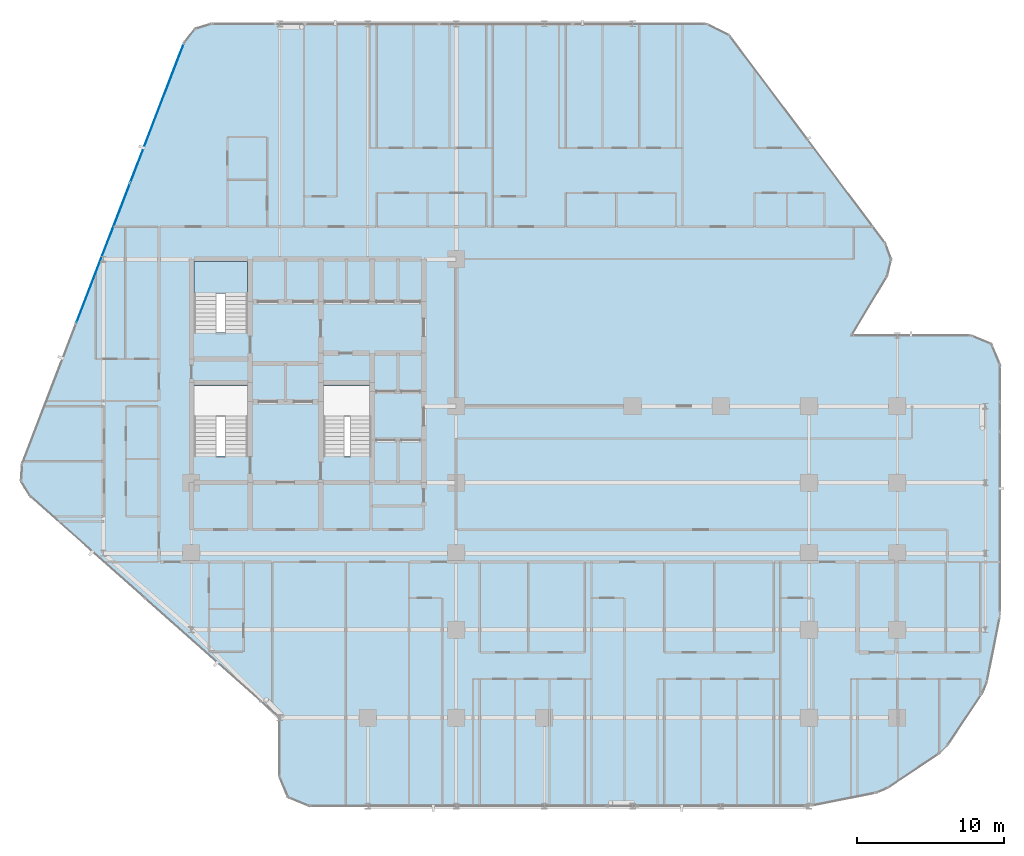
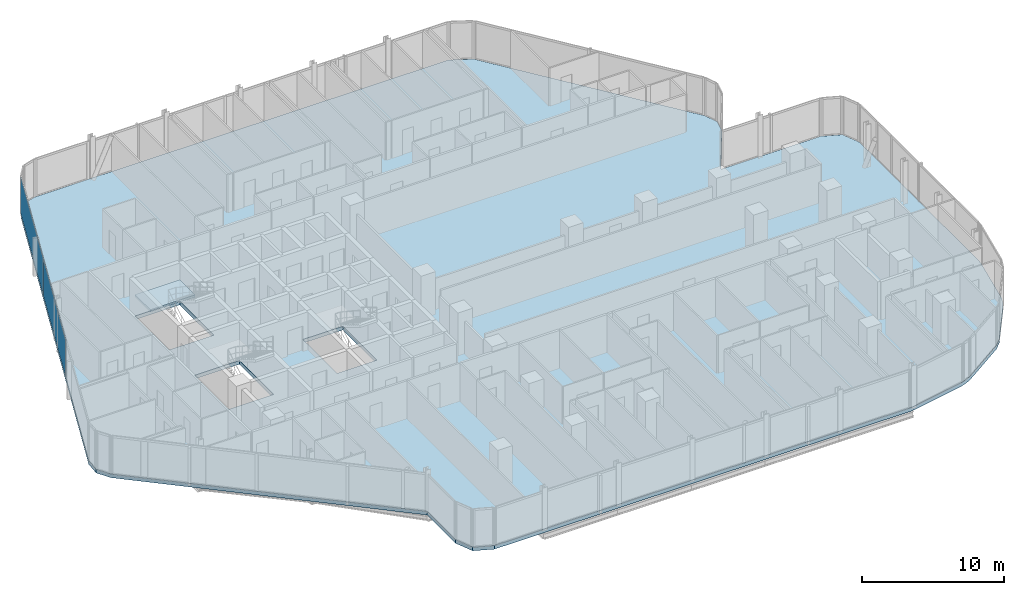
# One storey, part 23 of 34: 2 plates, 2 slabs, 2 elements without a shape of their own.
"""IFC4 building model written with IfcOpenShell, lengths in metres."""

import ifcopenshell
import ifcopenshell.guid

model = None  # the IFC model being written
_history = None  # IfcOwnerHistory: only IFC2X3 demands one
_inside = {}  # id of a spatial element -> (the spatial element, [elements in it])
_under = {}  # id of a project, library or spatial element -> (it, [spatial elements below it])
_declared = {}  # id of a project -> (the project, [libraries it declares])
_typed = {}  # id of a type object -> (the type object, [elements of that type])
_made_of = {}  # id of a material, layer set ... -> (it, [elements and type objects made of it])


def new_model(schema):
    """Start an empty IFC model of exactly this schema.

    Asked for "IFC4X3", IfcOpenShell would pick the latest addendum, in which some entities
    have other attributes; the version numbers below select the first issue.
    IFC2X3 requires an IfcOwnerHistory on every rooted entity: one is made here for all.
    """
    global model, _history
    if schema == "IFC4X3":
        model = ifcopenshell.file(schema_version=(4, 3, 0, 0))
    else:
        model = ifcopenshell.file(schema=schema)
    _inside.clear()
    _under.clear()
    _declared.clear()
    _typed.clear()
    _made_of.clear()
    _history = None
    if model.schema == "IFC2X3":
        org = make("IfcOrganization", Name="unknown")
        user = make(
            "IfcPersonAndOrganization",
            ThePerson=make("IfcPerson", FamilyName="unknown"),
            TheOrganization=org,
        )
        app = make(
            "IfcApplication",
            ApplicationDeveloper=org,
            Version="unknown",
            ApplicationFullName="unknown",
            ApplicationIdentifier="unknown",
        )
        _history = make(
            "IfcOwnerHistory",
            OwningUser=user,
            OwningApplication=app,
            ChangeAction="ADDED",
            CreationDate=0,
        )
    return model


def make(cls, **values):
    """One entity of the class cls with the attributes given. An attribute that is None is left unset."""
    return model.create_entity(
        cls, **{name: value for name, value in values.items() if value is not None}
    )


def rooted(cls, **values):
    """An entity with a GlobalId (a new one), such as an element, a storey or a relation."""
    return make(cls, GlobalId=ifcopenshell.guid.new(), OwnerHistory=_history, **values)


def si_unit(unit_type, name, prefix=None):
    """IfcSIUnit, for example si_unit("LENGTHUNIT", "METRE", prefix="MILLI")."""
    return make("IfcSIUnit", UnitType=unit_type, Prefix=prefix, Name=name)


def assignment(units):
    """IfcUnitAssignment: the units of a project."""
    return None if units is None else make("IfcUnitAssignment", Units=units)


def point(xyz):
    """IfcCartesianPoint."""
    return None if xyz is None else make("IfcCartesianPoint", Coordinates=xyz)


def direction(xyz):
    """IfcDirection."""
    return None if xyz is None else make("IfcDirection", DirectionRatios=xyz)


def frame(location, z_axis=None, x_axis=None):
    """IfcAxis2Placement3D, a coordinate frame: its origin and axes. An axis left out is left unset."""
    return make(
        "IfcAxis2Placement3D",
        Location=point(location),
        Axis=direction(z_axis),
        RefDirection=direction(x_axis),
    )


def frame_2d(location, x_axis=None):
    """IfcAxis2Placement2D, a coordinate frame in the plane: its origin and x axis."""
    return make(
        "IfcAxis2Placement2D", Location=point(location), RefDirection=direction(x_axis)
    )


def origin():
    """The frame at (0, 0, 0) with its axes left unset."""
    return frame((0.0, 0.0, 0.0))


def origin_2d():
    """The frame at (0, 0) in the plane with its x axis left unset."""
    return frame_2d((0.0, 0.0))


def place(relative_to, where):
    """IfcLocalPlacement: puts the frame where relative to a parent placement (None: the world)."""
    return make(
        "IfcLocalPlacement", PlacementRelTo=relative_to, RelativePlacement=where
    )


def context(
    kind, dimensions, precision=None, world=None, true_north=None, identifier=None
):
    """IfcGeometricRepresentationContext, for example the 3D "Model" context."""
    return make(
        "IfcGeometricRepresentationContext",
        ContextIdentifier=identifier,
        ContextType=kind,
        CoordinateSpaceDimension=dimensions,
        Precision=precision,
        WorldCoordinateSystem=world,
        TrueNorth=true_north,
    )


def subcontext(parent, identifier, kind, view, scale=None):
    """IfcGeometricRepresentationSubContext, for example "Body" below "Model"."""
    return make(
        "IfcGeometricRepresentationSubContext",
        ContextIdentifier=identifier,
        ContextType=kind,
        ParentContext=parent,
        TargetScale=scale,
        TargetView=view,
    )


def project(units=None, contexts=None):
    """IfcProject with its units and contexts."""
    return rooted(
        "IfcProject",
        Name="project",
        RepresentationContexts=contexts,
        UnitsInContext=assignment(units),
    )


def spatial(cls, under=None, at=None, **own):
    """A site, building, storey or space (cls), placed at a placement, below another one or the project."""
    s = rooted(cls, ObjectPlacement=at, **own)
    if under is not None:
        _under.setdefault(under.id(), (under, []))[1].append(s)
    return s


def polyline(points):
    """IfcPolyline through the points."""
    return make("IfcPolyline", Points=[point(p) for p in points])


def profile(cls, at=None, kind="AREA", **sizes):
    """A parametric profile (cls). Its sizes go by their IFC names, for example OverallWidth=200.0."""
    return make(cls, ProfileType=kind, Position=at, **sizes)


def rectangle(**sizes):
    """IfcRectangleProfileDef."""
    return profile("IfcRectangleProfileDef", **sizes)


def outline(outer, holes=None, kind="AREA"):
    """IfcArbitraryClosedProfileDef: a profile drawn as a closed curve; with holes, ...WithVoids."""
    if holes is None:
        return make("IfcArbitraryClosedProfileDef", ProfileType=kind, OuterCurve=outer)
    return make(
        "IfcArbitraryProfileDefWithVoids",
        ProfileType=kind,
        OuterCurve=outer,
        InnerCurves=holes,
    )


def extrude(swept, where, along, depth):
    """IfcExtrudedAreaSolid: the profile swept, set in the frame where, extruded along a direction by depth."""
    return make(
        "IfcExtrudedAreaSolid",
        SweptArea=swept,
        Position=where,
        ExtrudedDirection=direction(along),
        Depth=depth,
    )


def shape(context_of_items, identifier, shape_type, items):
    """IfcShapeRepresentation: the items that make up one representation, for example the "Body"."""
    return make(
        "IfcShapeRepresentation",
        ContextOfItems=context_of_items,
        RepresentationIdentifier=identifier,
        RepresentationType=shape_type,
        Items=items,
    )


def material(Name=None, Category=None):
    """IfcMaterial."""
    return make("IfcMaterial", Name=Name, Category=Category)


def layer(
    of_material, thickness, ventilated=None, Name=None, Category=None, Priority=None
):
    """IfcMaterialLayer: one layer of a wall or slab, of a material (None: an air gap)."""
    return make(
        "IfcMaterialLayer",
        Material=of_material,
        LayerThickness=thickness,
        IsVentilated=ventilated,
        Name=Name,
        Category=Category,
        Priority=Priority,
    )


def layer_set(layers, Name=None):
    """IfcMaterialLayerSet."""
    return make("IfcMaterialLayerSet", MaterialLayers=layers, LayerSetName=Name)


def made_of(thing, what):
    """Note that an element or type object is made of a material, layer set ...; save() writes the relation."""
    if what is not None:
        _made_of.setdefault(what.id(), (what, []))[1].append(thing)
    return thing


def type_object(cls, material=None, **own):
    """A type object (cls), such as IfcWallType, which elements share."""
    return made_of(rooted(cls, **own), material)


def element(
    cls,
    number,
    at=None,
    inside=None,
    cuts=None,
    type_object=None,
    material=None,
    context=None,
    identifier="Body",
    shape_type=None,
    held_by="IfcProductDefinitionShape",
    body=None,
    shapes=None,
    **own,
):
    """One element of the class cls, such as IfcWall. Its Tag is "e" and its number.

    at: its placement. inside: the storey or other place that contains it. cuts: it is an
    opening in that element (IfcRelVoidsElement). A single representation is given by context,
    identifier, shape_type and body (its items); several are given by shapes. held_by: the class
    of the entity that holds the representations. save() writes the other relations.
    """
    e = rooted(cls, Tag="e%d" % number, ObjectPlacement=at, **own)
    if body is not None:
        shapes = [shape(context, identifier, shape_type, body)]
    if shapes is not None:
        e.Representation = make(held_by, Representations=shapes)
    if inside is not None:
        _inside.setdefault(inside.id(), (inside, []))[1].append(e)
    if cuts is not None:
        rooted(
            "IfcRelVoidsElement", RelatingBuildingElement=cuts, RelatedOpeningElement=e
        )
    if type_object is not None:
        _typed.setdefault(type_object.id(), (type_object, []))[1].append(e)
    return made_of(e, material)


def aggregate(whole, parts):
    """IfcRelAggregates: a whole, such as a stair, and the parts it consists of."""
    return rooted("IfcRelAggregates", RelatingObject=whole, RelatedObjects=parts)


def save(model, path):
    """Write the relations noted so far, then the file.

    IfcRelAggregates (storeys below a building ...), IfcRelContainedInSpatialStructure (elements
    in a storey), IfcRelDefinesByType, IfcRelAssociatesMaterial and IfcRelDeclares: one each for
    every whole, place, type object, material and project.
    """
    for whole, parts in _under.values():
        aggregate(whole, parts)
    for where, things in _inside.values():
        rooted(
            "IfcRelContainedInSpatialStructure",
            RelatedElements=things,
            RelatingStructure=where,
        )
    for kind, things in _typed.values():
        rooted("IfcRelDefinesByType", RelatedObjects=things, RelatingType=kind)
    for what, things in _made_of.values():
        rooted("IfcRelAssociatesMaterial", RelatedObjects=things, RelatingMaterial=what)
    for by, libraries in _declared.values():
        rooted("IfcRelDeclares", RelatingContext=by, RelatedDefinitions=libraries)
    model.write(path)


model = new_model("IFC4")

# Units and contexts
model_context = context("Model", 3, precision=1e-05, world=origin(), true_north=direction((0.0, 1.0)))
body_context = subcontext(model_context, "Body", "Model", "MODEL_VIEW")
ifc_project = project(units=[si_unit("LENGTHUNIT", "METRE"), si_unit("AREAUNIT", "SQUARE_METRE"), si_unit("VOLUMEUNIT", "CUBIC_METRE"), si_unit("PLANEANGLEUNIT", "RADIAN"), si_unit("MASSUNIT", "GRAM", prefix="KILO")], contexts=[model_context])

# Site, building, storey
site_placement = place(None, origin())
site = spatial("IfcSite", under=ifc_project, at=site_placement, CompositionType="ELEMENT")
building_placement = place(site_placement, origin())
building = spatial("IfcBuilding", under=site, at=building_placement, Name="Keshet Zoharim Tower", CompositionType="ELEMENT")
storey_placement = place(building_placement, frame((0.0, 0.0, 77.5)))
storey = spatial("IfcBuildingStorey", under=building, at=storey_placement, Name="L18", CompositionType="ELEMENT", Elevation=77.5)

# Curtain wall, plates
ifc_material_1 = material(Name="Aluminium 6063-T6", Category="aluminium")
ifc_layer_1 = layer(ifc_material_1, 0.179931640625)
ifc_layer_set_1 = layer_set([ifc_layer_1], Name="Aluminium 6063-T6")
curtain_wall_type = type_object("IfcCurtainWallType", Name="CW-SYS-01", PredefinedType="NOTDEFINED", material=ifc_layer_set_1)
curtain_wall_placement = place(storey_placement, origin())
curtain_wall = element("IfcCurtainWall", 1, at=curtain_wall_placement, inside=storey, type_object=curtain_wall_type, Name="L18 Unitised Curtain Wall 04", PredefinedType="NOTDEFINED")
ifc_material_2 = material(Name="Insulated Low-E Clear Glass", Category="glass")
ifc_layer_2 = layer(ifc_material_2, 0.035888671875)
ifc_layer_set_2 = layer_set([ifc_layer_2], Name="Insulated Low-E Clear Glass")
plate_type = type_object("IfcPlateType", Name="CWP-01", PredefinedType="CURTAIN_PANEL", material=ifc_layer_set_2)
plate_1_placement = place(storey_placement, frame((9.001953125, 38.305419921875, 0.06982421875), z_axis=(0.0, 0.0, 1.0), x_axis=(0.358990003907, 0.933341404361, 0.0)))
plate_1 = element("IfcPlate", 2, at=plate_1_placement, type_object=plate_type, Name="CW-01 panel 2.1", PredefinedType="CURTAIN_PANEL", context=body_context, shape_type="SweptSolid", body=[
    extrude(rectangle(XDim=10.153076171875, YDim=0.035888671875, at=origin_2d()), origin(), (0.0, 0.0, 1.0), 3.139892578125),
])
plate_2_placement = place(storey_placement, frame((12.665771484375, 47.830810546875, 0.06982421875), z_axis=(0.0, 0.0, 1.0), x_axis=(0.358990003907, 0.933341404361, 0.0)))
plate_2 = element("IfcPlate", 3, at=plate_2_placement, type_object=plate_type, Name="CW-01 panel 3.1", PredefinedType="CURTAIN_PANEL", context=body_context, shape_type="SweptSolid", body=[
    extrude(rectangle(XDim=10.1181640625, YDim=0.035888671875, at=origin_2d()), origin(), (0.0, 0.0, 1.0), 3.139892578125),
])
aggregate(curtain_wall, [plate_1, plate_2])

# Stair, slab
ifc_material_3 = material(Name="Concrete C50/60", Category="concrete")
stair_type = type_object("IfcStairType", Name="STR-EXIT-135", PredefinedType="HALF_TURN_STAIR", material=ifc_material_3)
stair_placement = place(storey_placement, origin())
stair = element("IfcStair", 4, at=stair_placement, inside=storey, type_object=stair_type, Name="L18 Enclosed Exit Stair ST-02", PredefinedType="HALF_TURN_STAIR")
ifc_layer_3 = layer(ifc_material_3, 0.199951171875)
ifc_layer_set_3 = layer_set([ifc_layer_3], Name="Concrete C50/60")
slab_type_1 = type_object("IfcSlabType", Name="SLB-LND-200", PredefinedType="LANDING", material=ifc_layer_set_3)
slab_1_placement = place(storey_placement, frame((0.0, 0.0, 1.64990234375)))
slab_1 = element("IfcSlab", 5, at=slab_1_placement, type_object=slab_type_1, Name="ST-02 landing 1", PredefinedType="LANDING", context=body_context, shape_type="SweptSolid", body=[
    extrude(outline(polyline([(15.179931640625, 35.56005859375), (18.820068359375, 35.56005859375), (18.820068359375, 37.719970703125), (15.179931640625, 37.719970703125), (15.179931640625, 35.56005859375)])), origin(), (0.0, 0.0, 1.0), 0.2001953125),
])
aggregate(stair, [slab_1])

# Slab
ifc_layer_4 = layer(ifc_material_3, 0.31494140625)
ifc_layer_set_4 = layer_set([ifc_layer_4], Name="Concrete C50/60")
slab_type_2 = type_object("IfcSlabType", Name="SLB-LOW-260", PredefinedType="FLOOR", material=ifc_layer_set_4)
slab_2_placement = place(storey_placement, frame((0.0, 0.0, -0.31494140625)))
element("IfcSlab", 6, at=slab_2_placement, inside=storey, type_object=slab_type_2, Name="L18 Structural Floor Slab 1", PredefinedType="FLOOR", context=body_context, shape_type="SweptSolid", body=[
    extrude(outline(polyline([(21.0, 6.699951171875), (4.034912109375, 21.780029296875), (3.419921875, 22.802001953125), (3.4970703125, 23.992919921875), (14.507080078125, 52.617919921875), (15.240966796875, 53.549072265625), (16.3740234375, 53.89990234375), (50.0, 53.89990234375), (51.60009765625, 53.10009765625), (62.193115234375, 38.97607421875), (62.590087890625, 37.87890625), (62.30810546875, 36.7470703125), (59.8798828125, 32.699951171875), (68.0, 32.699951171875), (69.4140625, 32.114013671875), (70.0, 30.699951171875), (70.0, 13.89697265625), (69.9619140625, 13.507080078125), (69.087890625, 9.114990234375), (68.7890625, 8.39404296875), (66.4130859375, 4.837890625), (65.862060546875, 4.287109375), (62.305908203125, 1.910888671875), (61.5849609375, 1.612060546875), (57.193115234375, 0.738037109375), (56.802978515625, 0.699951171875), (23.0, 0.699951171875), (21.5859375, 1.285888671875), (21.0, 2.699951171875), (21.0, 6.699951171875)]), holes=[polyline([(15.179931640625, 24.52001953125), (18.820068359375, 24.52001953125), (18.820068359375, 29.320068359375), (15.179931640625, 29.320068359375), (15.179931640625, 24.52001953125)]), polyline([(15.179931640625, 32.919921875), (18.820068359375, 32.919921875), (18.820068359375, 37.719970703125), (15.179931640625, 37.719970703125), (15.179931640625, 32.919921875)]), polyline([(23.97998046875, 24.52001953125), (27.219970703125, 24.52001953125), (27.219970703125, 29.320068359375), (23.97998046875, 29.320068359375), (23.97998046875, 24.52001953125)])]), origin(), (0.0, 0.0, 1.0), 0.31494140625),
])

save(model, "model.ifc")
